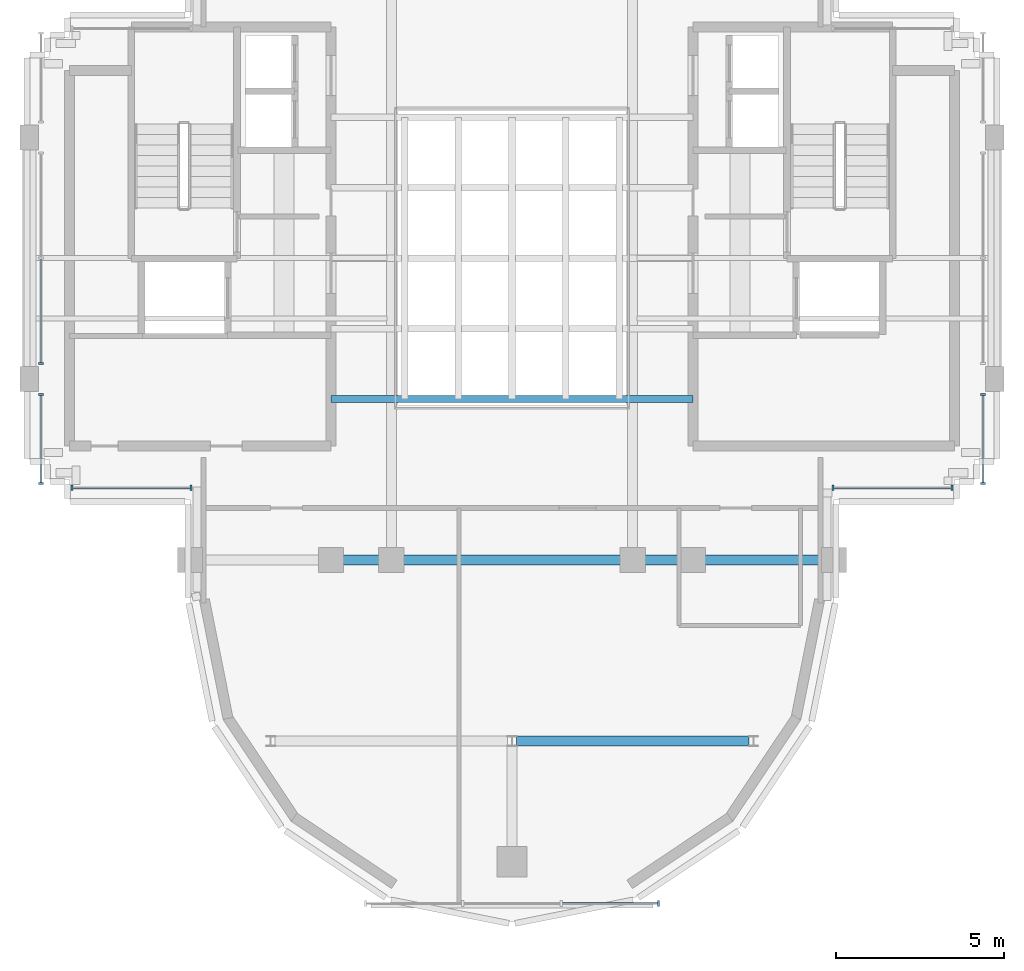
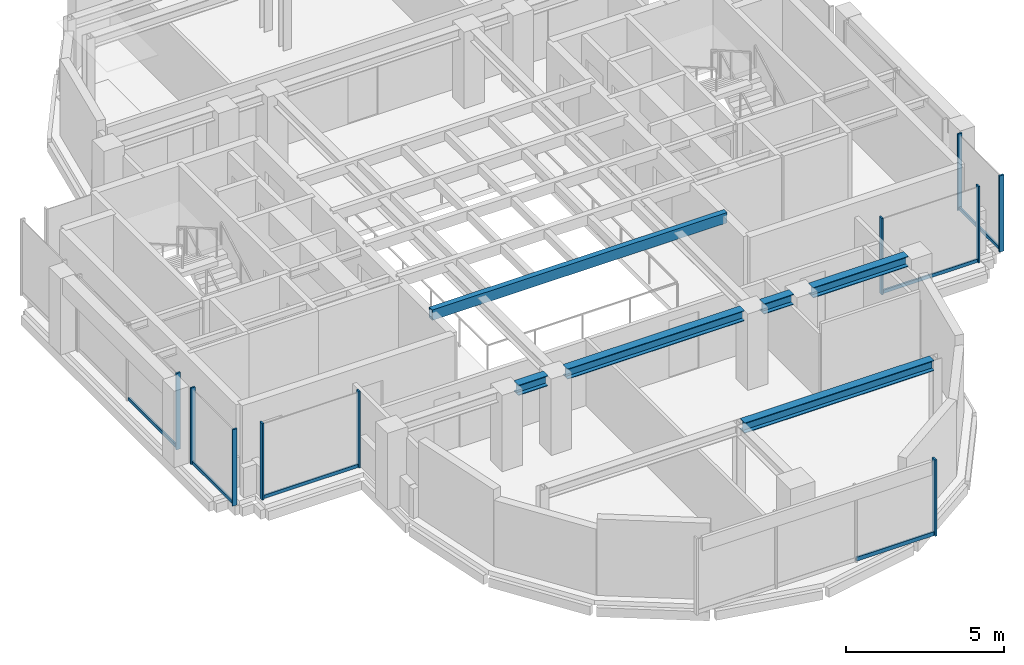
# One storey, part 3 of 11: 17 members, 5 beams, 6 elements without a shape of their own.
"""IFC4 building model written with IfcOpenShell, lengths in metres."""

from ifc_helpers import new_model, si_unit, direction, frame, origin, origin_2d, place, context, subcontext, project, spatial, rectangle, hollow_rectangle, i_section, extrude, source, transform, mapped, material, material_profile, profile_set, type_object, element, aggregate, save


model = new_model("IFC4")

# Units and contexts
model_context = context("Model", 3, precision=1e-05, world=origin(), true_north=direction((0.0, 1.0)))
body_context = subcontext(model_context, "Body", "Model", "MODEL_VIEW")
ifc_project = project(units=[si_unit("LENGTHUNIT", "METRE"), si_unit("AREAUNIT", "SQUARE_METRE"), si_unit("VOLUMEUNIT", "CUBIC_METRE"), si_unit("PLANEANGLEUNIT", "RADIAN"), si_unit("MASSUNIT", "GRAM", prefix="KILO")], contexts=[model_context])

# Site, building, storey
site_placement = place(None, origin())
site = spatial("IfcSite", under=ifc_project, at=site_placement, CompositionType="ELEMENT")
building_placement = place(site_placement, origin())
building = spatial("IfcBuilding", under=site, at=building_placement, Name="Keilestroom Media Tower", CompositionType="ELEMENT")
storey_placement = place(building_placement, frame((0.0, 0.0, 268.39990234375)))
storey = spatial("IfcBuildingStorey", under=building, at=storey_placement, Name="L75", CompositionType="ELEMENT", Elevation=268.39990234375)

# Beams
ifc_material_1 = material(Name="Steel S355", Category="steel")
ifc_material_profile_1 = material_profile(ifc_material_1, i_section(OverallWidth=0.300048828125, OverallDepth=0.39990234375, WebThickness=0.011474609375, FlangeThickness=0.02392578125, at=origin_2d()), Name="HEB 400")
ifc_profile_set_1 = profile_set([ifc_material_profile_1], Name="Steel S355")
beam_type = type_object("IfcBeamType", Name="Primary-Structural-Girder-HEB-400", PredefinedType="BEAM", material=ifc_profile_set_1)
shared_shape_1 = source(origin(), body_context, "Body", "SweptSolid", [
    extrude(i_section(OverallWidth=0.300048828125, OverallDepth=0.39990234375, WebThickness=0.011474609375, FlangeThickness=0.02392578125, at=origin_2d()), origin(), (0.0, 0.0, 1.0), 6.940185546875),
])
beam_1_placement = place(storey_placement, frame((0.1298828125, -14.39990234375, 2.760009765625), z_axis=(1.0, 0.0, 0.0), x_axis=(0.0, 1.0, 0.0)))
element("IfcBeam", 1, at=beam_1_placement, inside=storey, type_object=beam_type, Name="L75 Beam BG-8 BM-L75-EW-002", PredefinedType="BEAM", context=body_context, shape_type="MappedRepresentation", body=[
    mapped(shared_shape_1, transform((0.0, 0.0, 0.0), x_axis=(1.0, 0.0, 0.0), y_axis=(0.0, 1.0, 0.0), z_axis=(0.0, 0.0, 1.0), scale=1.0)),
])
shared_shape_2 = source(origin(), body_context, "Body", "SweptSolid", [
    extrude(i_section(OverallWidth=0.300048828125, OverallDepth=0.39990234375, WebThickness=0.011474609375, FlangeThickness=0.02392578125, at=origin_2d()), origin(), (0.0, 0.0, 1.0), 3.490234375),
])
beam_2_placement = place(storey_placement, frame((5.7548828125, -9.0, 2.760009765625), z_axis=(1.0, 0.0, 0.0), x_axis=(0.0, 1.0, 0.0)))
element("IfcBeam", 2, at=beam_2_placement, inside=storey, type_object=beam_type, Name="L75 Beam BG-8 BM-L75-EW-007", PredefinedType="BEAM", context=body_context, shape_type="MappedRepresentation", body=[
    mapped(shared_shape_2, transform((0.0, 0.0, 0.0), x_axis=(1.0, 0.0, 0.0), y_axis=(0.0, 1.0, 0.0), z_axis=(0.0, 0.0, 1.0), scale=1.0)),
])
shared_shape_3 = source(origin(), body_context, "Body", "SweptSolid", [
    extrude(i_section(OverallWidth=0.300048828125, OverallDepth=0.39990234375, WebThickness=0.011474609375, FlangeThickness=0.02392578125, at=origin_2d()), origin(), (0.0, 0.0, 1.0), 1.08984375),
])
for number, where, z_axis, x_axis, name in (
    (3, (-5.044921875, -9.0, 2.760009765625), (1.0, 0.0, 0.0), (0.0, 1.0, 0.0), "L75 Beam BG-8 BM-L75-EW-004"),
    (4, (3.955078125, -9.0, 2.760009765625), (1.0, 0.0, 0.0), (0.0, 1.0, 0.0), "L75 Beam BG-8 BM-L75-EW-006"),
):
    element("IfcBeam", number, at=place(storey_placement, frame(where, z_axis=z_axis, x_axis=x_axis)), inside=storey, type_object=beam_type, Name=name, PredefinedType="BEAM", context=body_context, shape_type="MappedRepresentation", body=[
        mapped(shared_shape_3, transform((0.0, 0.0, 0.0), x_axis=(1.0, 0.0, 0.0), y_axis=(0.0, 1.0, 0.0), z_axis=(0.0, 0.0, 1.0), scale=1.0)),
    ])
shared_shape_4 = source(origin(), body_context, "Body", "SweptSolid", [
    extrude(i_section(OverallWidth=0.300048828125, OverallDepth=0.39990234375, WebThickness=0.011474609375, FlangeThickness=0.02392578125, at=origin_2d()), origin(), (0.0, 0.0, 1.0), 6.490234375),
])
beam_3_placement = place(storey_placement, frame((-3.2451171875, -9.0, 2.760009765625), z_axis=(1.0, 0.0, 0.0), x_axis=(0.0, 1.0, 0.0)))
element("IfcBeam", 5, at=beam_3_placement, inside=storey, type_object=beam_type, Name="L75 Beam BG-8 BM-L75-EW-005", PredefinedType="BEAM", context=body_context, shape_type="MappedRepresentation", body=[
    mapped(shared_shape_4, transform((0.0, 0.0, 0.0), x_axis=(1.0, 0.0, 0.0), y_axis=(0.0, 1.0, 0.0), z_axis=(0.0, 0.0, 1.0), scale=1.0)),
])

# Member
ifc_material_profile_2 = material_profile(ifc_material_1, hollow_rectangle(XDim=0.199951171875, YDim=0.39990234375, WallThickness=0.01611328125, at=origin_2d()), Name="RHS 400x200x16")
ifc_profile_set_2 = profile_set([ifc_material_profile_2], Name="Steel S355")
member_type_1 = type_object("IfcMemberType", Name="Atrium-Skylight-Rafter-RHS-400x200x16", PredefinedType="RAFTER", material=ifc_profile_set_2)
shared_shape_5 = source(origin(), body_context, "Body", "SweptSolid", [
    extrude(hollow_rectangle(XDim=0.199951171875, YDim=0.39990234375, WallThickness=0.01611328125, at=origin_2d()), origin(), (0.0, 0.0, 1.0), 10.7998046875),
])
member_1_placement = place(storey_placement, frame((-5.39990234375, -4.199951171875, 2.860107421875), z_axis=(1.0, 0.0, 0.0), x_axis=(0.0, 1.0, 0.0)))
element("IfcMember", 6, at=member_1_placement, inside=storey, type_object=member_type_1, Name="Roof Atrium Skylight Rafter SKR-1 01", PredefinedType="RAFTER", context=body_context, shape_type="MappedRepresentation", body=[
    mapped(shared_shape_5, transform((0.0, 0.0, 0.0), x_axis=(1.0, 0.0, 0.0), y_axis=(0.0, 1.0, 0.0), z_axis=(0.0, 0.0, 1.0), scale=1.0)),
])

# Curtain wall, member
ifc_material_2 = material(Name="Anodised Aluminium Alloy", Category="aluminium")
curtain_wall_type_1 = type_object("IfcCurtainWallType", Name="Unitised-Curtain-Wall-CW-6", PredefinedType="NOTDEFINED", material=ifc_material_2)
curtain_wall_1_placement = place(storey_placement, origin())
curtain_wall_1 = element("IfcCurtainWall", 7, at=curtain_wall_1_placement, inside=storey, type_object=curtain_wall_type_1, Name="L75 Curtain Wall CW-6 CW-L75-LS-1", PredefinedType="NOTDEFINED")
ifc_material_profile_3 = material_profile(ifc_material_2, rectangle(XDim=0.06494140625, YDim=0.14990234375, at=origin_2d()), Name="ALU TRANSOM 65x150")
ifc_profile_set_3 = profile_set([ifc_material_profile_3], Name="Anodised Aluminium Alloy")
member_type_2 = type_object("IfcMemberType", Name="Curtain-Wall-Transom-CW-6", PredefinedType="USERDEFINED", material=ifc_profile_set_3)
shared_shape_6 = source(origin(), body_context, "Body", "SweptSolid", [
    extrude(rectangle(XDim=0.06494140625, YDim=0.14990234375, at=origin_2d()), origin(), (0.0, 0.0, 1.0), 2.839599609375),
])
member_2_placement = place(storey_placement, frame((1.497314453125, -19.25, 0.0751953125), z_axis=(1.0, 0.0, 0.0), x_axis=(0.0, 1.0, 0.0)))
member_2 = element("IfcMember", 8, at=member_2_placement, type_object=member_type_2, Name="CW-6 Transom 02.1", ObjectType="TRANSOM", PredefinedType="USERDEFINED", context=body_context, shape_type="MappedRepresentation", body=[
    mapped(shared_shape_6, transform((0.0, 0.0, 0.0), x_axis=(1.0, 0.0, 0.0), y_axis=(0.0, 1.0, 0.0), z_axis=(0.0, 0.0, 1.0), scale=1.0)),
])

curtain_wall_type_2 = type_object("IfcCurtainWallType", Name="Unitised-Curtain-Wall-CW-4", PredefinedType="NOTDEFINED", material=ifc_material_2)
curtain_wall_2_placement = place(storey_placement, origin())
curtain_wall_2 = element("IfcCurtainWall", 9, at=curtain_wall_2_placement, inside=storey, type_object=curtain_wall_type_2, Name="L75 Curtain Wall CW-4 CW-L75-W-2", PredefinedType="NOTDEFINED")
ifc_material_profile_4 = material_profile(ifc_material_2, rectangle(XDim=0.06005859375, YDim=0.1298828125, at=origin_2d()), Name="ALU TRANSOM 60x130")
ifc_profile_set_4 = profile_set([ifc_material_profile_4], Name="Anodised Aluminium Alloy")
member_type_3 = type_object("IfcMemberType", Name="Curtain-Wall-Transom-CW-4", PredefinedType="USERDEFINED", material=ifc_profile_set_4)
shared_shape_7 = source(origin(), body_context, "Body", "SweptSolid", [
    extrude(rectangle(XDim=0.06005859375, YDim=0.1298828125, at=origin_2d()), origin(), (0.0, 0.0, 1.0), 3.078857421875),
])
member_3_placement = place(storey_placement, frame((-14.050048828125, -3.10693359375, 0.065185546875), z_axis=(0.0, 1.0, 0.0), x_axis=(-1.0, 0.0, 0.0)))
member_3 = element("IfcMember", 10, at=member_3_placement, type_object=member_type_3, Name="CW-4 Transom 00.1", ObjectType="TRANSOM", PredefinedType="USERDEFINED", context=body_context, shape_type="MappedRepresentation", body=[
    mapped(shared_shape_7, transform((0.0, 0.0, 0.0), x_axis=(1.0, 0.0, 0.0), y_axis=(0.0, 1.0, 0.0), z_axis=(0.0, 0.0, 1.0), scale=1.0)),
])

curtain_wall_3_placement = place(storey_placement, origin())
curtain_wall_3 = element("IfcCurtainWall", 11, at=curtain_wall_3_placement, inside=storey, type_object=curtain_wall_type_2, Name="L75 Curtain Wall CW-4 CW-L75-W-1", PredefinedType="NOTDEFINED")
shared_shape_8 = source(origin(), body_context, "Body", "SweptSolid", [
    extrude(rectangle(XDim=0.06005859375, YDim=0.1298828125, at=origin_2d()), origin(), (0.0, 0.0, 1.0), 2.598876953125),
])
member_4_placement = place(storey_placement, frame((-14.050048828125, -6.69189453125, 0.065185546875), z_axis=(0.0, 1.0, 0.0), x_axis=(-1.0, 0.0, 0.0)))
member_4 = element("IfcMember", 12, at=member_4_placement, type_object=member_type_3, Name="CW-4 Transom 00.1", ObjectType="TRANSOM", PredefinedType="USERDEFINED", context=body_context, shape_type="MappedRepresentation", body=[
    mapped(shared_shape_8, transform((0.0, 0.0, 0.0), x_axis=(1.0, 0.0, 0.0), y_axis=(0.0, 1.0, 0.0), z_axis=(0.0, 0.0, 1.0), scale=1.0)),
])

curtain_wall_4_placement = place(storey_placement, origin())
curtain_wall_4 = element("IfcCurtainWall", 13, at=curtain_wall_4_placement, inside=storey, type_object=curtain_wall_type_2, Name="L75 Curtain Wall CW-4 CW-L75-E-1", PredefinedType="NOTDEFINED")
member_5_placement = place(storey_placement, frame((14.050048828125, -6.69189453125, 0.065185546875), z_axis=(0.0, 1.0, 0.0), x_axis=(-1.0, 0.0, 0.0)))
member_5 = element("IfcMember", 14, at=member_5_placement, type_object=member_type_3, Name="CW-4 Transom 00.1", ObjectType="TRANSOM", PredefinedType="USERDEFINED", context=body_context, shape_type="MappedRepresentation", body=[
    mapped(shared_shape_8, transform((0.0, 0.0, 0.0), x_axis=(1.0, 0.0, 0.0), y_axis=(0.0, 1.0, 0.0), z_axis=(0.0, 0.0, 1.0), scale=1.0)),
])

curtain_wall_5_placement = place(storey_placement, origin())
curtain_wall_5 = element("IfcCurtainWall", 15, at=curtain_wall_5_placement, inside=storey, type_object=curtain_wall_type_2, Name="L75 Curtain Wall CW-4 CW-L75-SW-1", PredefinedType="NOTDEFINED")
shared_shape_9 = source(origin(), body_context, "Body", "SweptSolid", [
    extrude(rectangle(XDim=0.06005859375, YDim=0.1298828125, at=origin_2d()), origin(), (0.0, 0.0, 1.0), 3.484130859375),
])
member_6_placement = place(storey_placement, frame((-13.092041015625, -6.85009765625, 0.065185546875), z_axis=(1.0, 0.0, 0.0), x_axis=(0.0, 1.0, 0.0)))
member_6 = element("IfcMember", 16, at=member_6_placement, type_object=member_type_3, Name="CW-4 Transom 00.1", ObjectType="TRANSOM", PredefinedType="USERDEFINED", context=body_context, shape_type="MappedRepresentation", body=[
    mapped(shared_shape_9, transform((0.0, 0.0, 0.0), x_axis=(1.0, 0.0, 0.0), y_axis=(0.0, 1.0, 0.0), z_axis=(0.0, 0.0, 1.0), scale=1.0)),
])

curtain_wall_6_placement = place(storey_placement, origin())
curtain_wall_6 = element("IfcCurtainWall", 17, at=curtain_wall_6_placement, inside=storey, type_object=curtain_wall_type_2, Name="L75 Curtain Wall CW-4 CW-L75-SE-1", PredefinedType="NOTDEFINED")
member_7_placement = place(storey_placement, frame((9.60791015625, -6.85009765625, 0.065185546875), z_axis=(1.0, 0.0, 0.0), x_axis=(0.0, 1.0, 0.0)))
member_7 = element("IfcMember", 18, at=member_7_placement, type_object=member_type_3, Name="CW-4 Transom 00.1", ObjectType="TRANSOM", PredefinedType="USERDEFINED", context=body_context, shape_type="MappedRepresentation", body=[
    mapped(shared_shape_9, transform((0.0, 0.0, 0.0), x_axis=(1.0, 0.0, 0.0), y_axis=(0.0, 1.0, 0.0), z_axis=(0.0, 0.0, 1.0), scale=1.0)),
])

# Member
ifc_material_profile_5 = material_profile(ifc_material_2, rectangle(XDim=0.06005859375, YDim=0.159912109375, at=origin_2d()), Name="ALU MULLION 60x160")
ifc_profile_set_5 = profile_set([ifc_material_profile_5], Name="Anodised Aluminium Alloy")
member_type_4 = type_object("IfcMemberType", Name="Curtain-Wall-Mullion-CW-4", PredefinedType="MULLION", material=ifc_profile_set_5)
shared_shape_10 = source(origin(), body_context, "Body", "SweptSolid", [
    extrude(rectangle(XDim=0.06005859375, YDim=0.159912109375, at=origin_2d()), origin(), (0.0, 0.0, 1.0), 2.960205078125),
])
member_8_placement = place(storey_placement, frame((-14.050048828125, -6.719970703125, 0.0), z_axis=(0.0, 0.0, 1.0), x_axis=(0.0, 1.0, 0.0)))
member_8 = element("IfcMember", 19, at=member_8_placement, type_object=member_type_4, Name="CW-4 Mullion 00", PredefinedType="MULLION", context=body_context, shape_type="MappedRepresentation", body=[
    mapped(shared_shape_10, transform((0.0, 0.0, 0.0), x_axis=(1.0, 0.0, 0.0), y_axis=(0.0, 1.0, 0.0), z_axis=(0.0, 0.0, 1.0), scale=1.0)),
])

member_9_placement = place(storey_placement, frame((-14.050048828125, -4.06494140625, 0.0), z_axis=(0.0, 0.0, 1.0), x_axis=(0.0, 1.0, 0.0)))
member_9 = element("IfcMember", 20, at=member_9_placement, type_object=member_type_4, Name="CW-4 Mullion 01", PredefinedType="MULLION", context=body_context, shape_type="MappedRepresentation", body=[
    mapped(shared_shape_10, transform((0.0, 0.0, 0.0), x_axis=(1.0, 0.0, 0.0), y_axis=(0.0, 1.0, 0.0), z_axis=(0.0, 0.0, 1.0), scale=1.0)),
])

aggregate(curtain_wall_3, [member_8, member_9, member_4])

member_10_placement = place(storey_placement, frame((-14.050048828125, -3.135009765625, 0.0), z_axis=(0.0, 0.0, 1.0), x_axis=(0.0, 1.0, 0.0)))
member_10 = element("IfcMember", 21, at=member_10_placement, type_object=member_type_4, Name="CW-4 Mullion 00", PredefinedType="MULLION", context=body_context, shape_type="MappedRepresentation", body=[
    mapped(shared_shape_10, transform((0.0, 0.0, 0.0), x_axis=(1.0, 0.0, 0.0), y_axis=(0.0, 1.0, 0.0), z_axis=(0.0, 0.0, 1.0), scale=1.0)),
])

aggregate(curtain_wall_2, [member_10, member_3])

member_11_placement = place(storey_placement, frame((14.050048828125, -6.719970703125, 0.0), z_axis=(0.0, 0.0, 1.0), x_axis=(0.0, 1.0, 0.0)))
member_11 = element("IfcMember", 22, at=member_11_placement, type_object=member_type_4, Name="CW-4 Mullion 00", PredefinedType="MULLION", context=body_context, shape_type="MappedRepresentation", body=[
    mapped(shared_shape_10, transform((0.0, 0.0, 0.0), x_axis=(1.0, 0.0, 0.0), y_axis=(0.0, 1.0, 0.0), z_axis=(0.0, 0.0, 1.0), scale=1.0)),
])

member_12_placement = place(storey_placement, frame((14.050048828125, -4.06494140625, 0.0), z_axis=(0.0, 0.0, 1.0), x_axis=(0.0, 1.0, 0.0)))
member_12 = element("IfcMember", 23, at=member_12_placement, type_object=member_type_4, Name="CW-4 Mullion 01", PredefinedType="MULLION", context=body_context, shape_type="MappedRepresentation", body=[
    mapped(shared_shape_10, transform((0.0, 0.0, 0.0), x_axis=(1.0, 0.0, 0.0), y_axis=(0.0, 1.0, 0.0), z_axis=(0.0, 0.0, 1.0), scale=1.0)),
])

aggregate(curtain_wall_4, [member_11, member_12, member_5])

member_13_placement = place(storey_placement, frame((-13.1201171875, -6.85009765625, 0.0), z_axis=(0.0, 0.0, 1.0), x_axis=(1.0, 0.0, 0.0)))
member_13 = element("IfcMember", 24, at=member_13_placement, type_object=member_type_4, Name="CW-4 Mullion 00", PredefinedType="MULLION", context=body_context, shape_type="MappedRepresentation", body=[
    mapped(shared_shape_10, transform((0.0, 0.0, 0.0), x_axis=(1.0, 0.0, 0.0), y_axis=(0.0, 1.0, 0.0), z_axis=(0.0, 0.0, 1.0), scale=1.0)),
])

member_14_placement = place(storey_placement, frame((-9.580078125, -6.85009765625, 0.0), z_axis=(0.0, 0.0, 1.0), x_axis=(1.0, 0.0, 0.0)))
member_14 = element("IfcMember", 25, at=member_14_placement, type_object=member_type_4, Name="CW-4 Mullion 01", PredefinedType="MULLION", context=body_context, shape_type="MappedRepresentation", body=[
    mapped(shared_shape_10, transform((0.0, 0.0, 0.0), x_axis=(1.0, 0.0, 0.0), y_axis=(0.0, 1.0, 0.0), z_axis=(0.0, 0.0, 1.0), scale=1.0)),
])

aggregate(curtain_wall_5, [member_13, member_14, member_6])

member_15_placement = place(storey_placement, frame((9.580078125, -6.85009765625, 0.0), z_axis=(0.0, 0.0, 1.0), x_axis=(1.0, 0.0, 0.0)))
member_15 = element("IfcMember", 26, at=member_15_placement, type_object=member_type_4, Name="CW-4 Mullion 00", PredefinedType="MULLION", context=body_context, shape_type="MappedRepresentation", body=[
    mapped(shared_shape_10, transform((0.0, 0.0, 0.0), x_axis=(1.0, 0.0, 0.0), y_axis=(0.0, 1.0, 0.0), z_axis=(0.0, 0.0, 1.0), scale=1.0)),
])

member_16_placement = place(storey_placement, frame((13.1201171875, -6.85009765625, 0.0), z_axis=(0.0, 0.0, 1.0), x_axis=(1.0, 0.0, 0.0)))
member_16 = element("IfcMember", 27, at=member_16_placement, type_object=member_type_4, Name="CW-4 Mullion 01", PredefinedType="MULLION", context=body_context, shape_type="MappedRepresentation", body=[
    mapped(shared_shape_10, transform((0.0, 0.0, 0.0), x_axis=(1.0, 0.0, 0.0), y_axis=(0.0, 1.0, 0.0), z_axis=(0.0, 0.0, 1.0), scale=1.0)),
])

aggregate(curtain_wall_6, [member_15, member_16, member_7])

ifc_material_profile_6 = material_profile(ifc_material_2, rectangle(XDim=0.06494140625, YDim=0.179931640625, at=origin_2d()), Name="ALU MULLION 65x180")
ifc_profile_set_6 = profile_set([ifc_material_profile_6], Name="Anodised Aluminium Alloy")
member_type_5 = type_object("IfcMemberType", Name="Curtain-Wall-Mullion-CW-6", PredefinedType="MULLION", material=ifc_profile_set_6)
shared_shape_11 = source(origin(), body_context, "Body", "SweptSolid", [
    extrude(rectangle(XDim=0.06494140625, YDim=0.179931640625, at=origin_2d()), origin(), (0.0, 0.0, 1.0), 2.960205078125),
])
member_17_placement = place(storey_placement, frame((4.367431640625, -19.25, 0.0), z_axis=(0.0, 0.0, 1.0), x_axis=(1.0, 0.0, 0.0)))
member_17 = element("IfcMember", 28, at=member_17_placement, type_object=member_type_5, Name="CW-6 Mullion 03", PredefinedType="MULLION", context=body_context, shape_type="MappedRepresentation", body=[
    mapped(shared_shape_11, transform((0.0, 0.0, 0.0), x_axis=(1.0, 0.0, 0.0), y_axis=(0.0, 1.0, 0.0), z_axis=(0.0, 0.0, 1.0), scale=1.0)),
])

aggregate(curtain_wall_1, [member_17, member_2])

save(model, "model.ifc")
